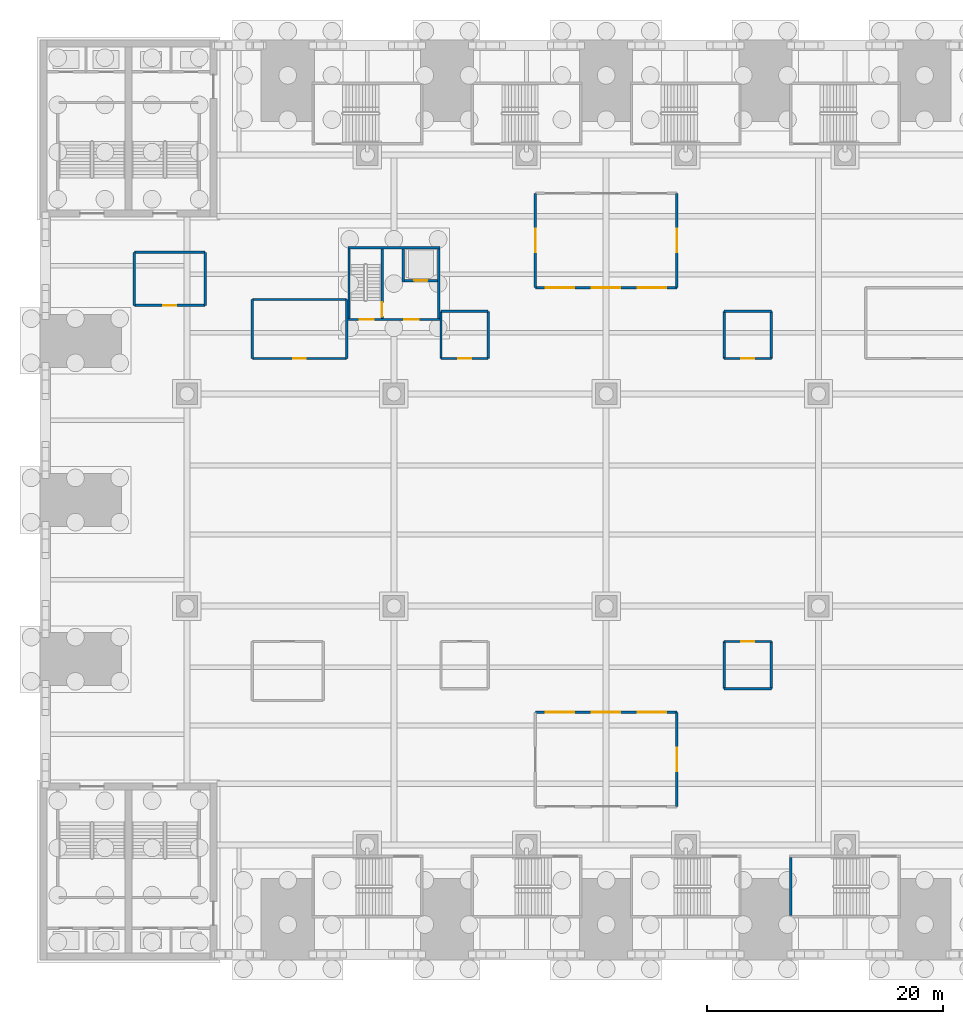
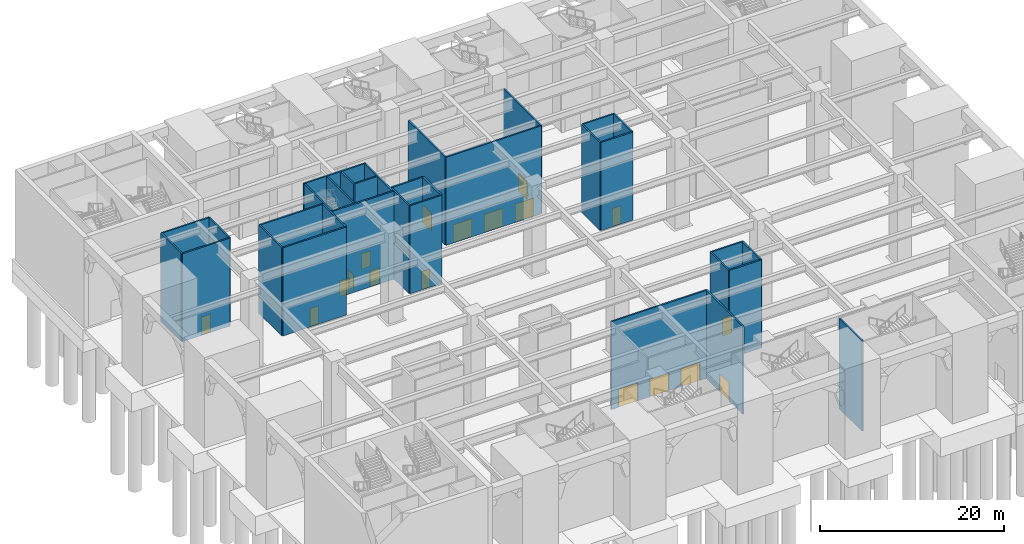
# One storey, part 8 of 34: 33 walls, 18 doors, 18 openings.
"""IFC4 building model written with IfcOpenShell, lengths in metres."""

from ifc_helpers import new_model, si_unit, direction, frame, frame_2d, origin, place, context, subcontext, project, spatial, rectangle, extrude, material, layer, layer_set, type_object, element, fill, save


model = new_model("IFC4")

# Units and contexts
model_context = context("Model", 3, precision=1e-05, world=origin(), true_north=direction((0.0, 1.0)))
body_context = subcontext(model_context, "Body", "Model", "MODEL_VIEW")
ifc_project = project(units=[si_unit("LENGTHUNIT", "METRE"), si_unit("AREAUNIT", "SQUARE_METRE"), si_unit("VOLUMEUNIT", "CUBIC_METRE"), si_unit("PLANEANGLEUNIT", "RADIAN"), si_unit("MASSUNIT", "GRAM", prefix="KILO")], contexts=[model_context])

# Site, building, storey
site_placement = place(None, origin())
site = spatial("IfcSite", under=ifc_project, at=site_placement, CompositionType="ELEMENT")
building_placement = place(site_placement, origin())
building = spatial("IfcBuilding", under=site, at=building_placement, Name="Corbelhall Arena Tower", CompositionType="ELEMENT")
storey_placement = place(building_placement, origin())
storey = spatial("IfcBuildingStorey", under=building, at=storey_placement, Name="L00", CompositionType="ELEMENT", Elevation=0.0)

# Wall, opening, door
ifc_material_1 = material(Name="Gypsum board on steel studs", Category="steel")
ifc_layer_1 = layer(ifc_material_1, 0.199951171875)
ifc_layer_set_1 = layer_set([ifc_layer_1], Name="AR-ROOM-WALL")
wall_type_1 = type_object("IfcWallType", Name="AR-ROOM-WALL", PredefinedType="PARTITIONING", material=ifc_layer_set_1)
wall_1_placement = place(storey_placement, frame((-40.0, 16.5, 0.0), z_axis=(0.0, 0.0, 1.0), x_axis=(1.0, 0.0, 0.0)))
wall_1 = element("IfcWall", 1, at=wall_1_placement, inside=storey, type_object=wall_type_1, Name="Fire command room wall", PredefinedType="PARTITIONING", context=body_context, shape_type="SweptSolid", body=[
    extrude(rectangle(XDim=6.0, YDim=0.199951171875, at=frame_2d((3.0, 0.0))), origin(), (0.0, 0.0, 1.0), 11.699951171875),
])
opening_1_placement = place(wall_1_placement, frame((2.449951171875, 0.0, 0.0)))
opening_1 = element("IfcOpeningElement", 2, at=opening_1_placement, cuts=wall_1, Name="Opening DA0317", PredefinedType="OPENING", context=body_context, shape_type="SweptSolid", body=[
    extrude(rectangle(XDim=1.10009765625, YDim=2.39990234375, at=frame_2d((0.550048828125, 1.199951171875))), frame((0.0, 0.10009765625, 0.0), z_axis=(0.0, -1.0, 0.0), x_axis=(1.0, 0.0, 0.0)), (0.0, 0.0, 1.0), 0.199951171875),
])
ifc_material_2 = material(Name="Timber", Category="wood")
door_type_1 = type_object("IfcDoorType", Name="AR-ROOM-DOOR", OperationType="DOUBLE_DOOR_SINGLE_SWING", PredefinedType="DOOR", material=ifc_material_2)
door_1_placement = place(opening_1_placement, origin())
door_1 = element("IfcDoor", 3, at=door_1_placement, inside=storey, type_object=door_type_1, Name="Fire command room door", OperationType="DOUBLE_DOOR_SINGLE_SWING", OverallHeight=2.39990234375, OverallWidth=1.10009765625, PredefinedType="DOOR", context=body_context, shape_type="SweptSolid", body=[
    extrude(rectangle(XDim=1.10009765625, YDim=2.39990234375, at=frame_2d((0.550048828125, 1.199951171875))), frame((0.0, 0.02490234375, 0.0), z_axis=(0.0, -1.0, 0.0), x_axis=(1.0, 0.0, 0.0)), (0.0, 0.0, 1.0), 0.050048828125),
])
fill(opening_1, door_1)

# Walls
wall_2_placement = place(storey_placement, frame((-34.0, 21.0, 0.0), z_axis=(0.0, 0.0, 1.0), x_axis=(-1.0, 0.0, 0.0)))
element("IfcWall", 4, at=wall_2_placement, inside=storey, type_object=wall_type_1, Name="Fire command room wall", PredefinedType="PARTITIONING", context=body_context, shape_type="SweptSolid", body=[
    extrude(rectangle(XDim=6.0, YDim=0.199951171875, at=frame_2d((3.0, 0.0))), origin(), (0.0, 0.0, 1.0), 11.699951171875),
])
for number, where, z_axis, x_axis, name in (
    (5, (-40.0, 21.0, 0.0), (0.0, 0.0, 1.0), (0.0, -1.0, 0.0), "Fire command room wall"),
    (6, (-34.0, 16.5, 0.0), (0.0, 0.0, 1.0), (0.0, 1.0, 0.0), "Fire command room wall"),
):
    element("IfcWall", number, at=place(storey_placement, frame(where, z_axis=z_axis, x_axis=x_axis)), inside=storey, type_object=wall_type_1, Name=name, PredefinedType="PARTITIONING", context=body_context, shape_type="SweptSolid", body=[
        extrude(rectangle(XDim=4.5, YDim=0.199951171875, at=frame_2d((2.25, 0.0))), origin(), (0.0, 0.0, 1.0), 11.699951171875),
    ])

# Wall, opening, door
wall_3_placement = place(storey_placement, frame((-30.0, 12.0, 0.0), z_axis=(0.0, 0.0, 1.0), x_axis=(1.0, 0.0, 0.0)))
wall_3 = element("IfcWall", 7, at=wall_3_placement, inside=storey, type_object=wall_type_1, Name="Box office wall", PredefinedType="PARTITIONING", context=body_context, shape_type="SweptSolid", body=[
    extrude(rectangle(XDim=8.0, YDim=0.199951171875, at=frame_2d((4.0, 0.0))), origin(), (0.0, 0.0, 1.0), 11.699951171875),
])
opening_2_placement = place(wall_3_placement, frame((3.449951171875, 0.0, 0.0)))
opening_2 = element("IfcOpeningElement", 8, at=opening_2_placement, cuts=wall_3, Name="Opening DA0318", PredefinedType="OPENING", context=body_context, shape_type="SweptSolid", body=[
    extrude(rectangle(XDim=1.10009765625, YDim=2.39990234375, at=frame_2d((0.550048828125, 1.199951171875))), frame((0.0, 0.10009765625, 0.0), z_axis=(0.0, -1.0, 0.0), x_axis=(1.0, 0.0, 0.0)), (0.0, 0.0, 1.0), 0.199951171875),
])
door_2_placement = place(opening_2_placement, origin())
door_2 = element("IfcDoor", 9, at=door_2_placement, inside=storey, type_object=door_type_1, Name="Box office door", OperationType="DOUBLE_DOOR_SINGLE_SWING", OverallHeight=2.39990234375, OverallWidth=1.10009765625, PredefinedType="DOOR", context=body_context, shape_type="SweptSolid", body=[
    extrude(rectangle(XDim=1.10009765625, YDim=2.39990234375, at=frame_2d((0.550048828125, 1.199951171875))), frame((0.0, 0.02490234375, 0.0), z_axis=(0.0, -1.0, 0.0), x_axis=(1.0, 0.0, 0.0)), (0.0, 0.0, 1.0), 0.050048828125),
])
fill(opening_2, door_2)

# Walls
wall_4_placement = place(storey_placement, frame((-22.0, 17.0, 0.0), z_axis=(0.0, 0.0, 1.0), x_axis=(-1.0, 0.0, 0.0)))
element("IfcWall", 10, at=wall_4_placement, inside=storey, type_object=wall_type_1, Name="Box office wall", PredefinedType="PARTITIONING", context=body_context, shape_type="SweptSolid", body=[
    extrude(rectangle(XDim=8.0, YDim=0.199951171875, at=frame_2d((4.0, 0.0))), origin(), (0.0, 0.0, 1.0), 11.699951171875),
])
for number, where, z_axis, x_axis, name in (
    (11, (-30.0, 17.0, 0.0), (0.0, 0.0, 1.0), (0.0, -1.0, 0.0), "Box office wall"),
    (12, (-22.0, 12.0, 0.0), (0.0, 0.0, 1.0), (0.0, 1.0, 0.0), "Box office wall"),
):
    element("IfcWall", number, at=place(storey_placement, frame(where, z_axis=z_axis, x_axis=x_axis)), inside=storey, type_object=wall_type_1, Name=name, PredefinedType="PARTITIONING", context=body_context, shape_type="SweptSolid", body=[
        extrude(rectangle(XDim=5.0, YDim=0.199951171875, at=frame_2d((2.5, 0.0))), origin(), (0.0, 0.0, 1.0), 11.699951171875),
    ])

# Wall, opening, door
wall_5_placement = place(storey_placement, frame((-14.0, 12.0, 0.0), z_axis=(0.0, 0.0, 1.0), x_axis=(1.0, 0.0, 0.0)))
wall_5 = element("IfcWall", 13, at=wall_5_placement, inside=storey, type_object=wall_type_1, Name="Information kiosk wall", PredefinedType="PARTITIONING", context=body_context, shape_type="SweptSolid", body=[
    extrude(rectangle(XDim=4.0, YDim=0.199951171875, at=frame_2d((2.0, 0.0))), origin(), (0.0, 0.0, 1.0), 11.699951171875),
])
opening_3_placement = place(wall_5_placement, frame((1.449951171875, 0.0, 0.0)))
opening_3 = element("IfcOpeningElement", 14, at=opening_3_placement, cuts=wall_5, Name="Opening DA0321", PredefinedType="OPENING", context=body_context, shape_type="SweptSolid", body=[
    extrude(rectangle(XDim=1.10009765625, YDim=2.39990234375, at=frame_2d((0.550048828125, 1.199951171875))), frame((0.0, 0.10009765625, 0.0), z_axis=(0.0, -1.0, 0.0), x_axis=(1.0, 0.0, 0.0)), (0.0, 0.0, 1.0), 0.199951171875),
])
door_3_placement = place(opening_3_placement, origin())
door_3 = element("IfcDoor", 15, at=door_3_placement, inside=storey, type_object=door_type_1, Name="Information kiosk door", OperationType="DOUBLE_DOOR_SINGLE_SWING", OverallHeight=2.39990234375, OverallWidth=1.10009765625, PredefinedType="DOOR", context=body_context, shape_type="SweptSolid", body=[
    extrude(rectangle(XDim=1.10009765625, YDim=2.39990234375, at=frame_2d((0.550048828125, 1.199951171875))), frame((0.0, 0.02490234375, 0.0), z_axis=(0.0, -1.0, 0.0), x_axis=(1.0, 0.0, 0.0)), (0.0, 0.0, 1.0), 0.050048828125),
])
fill(opening_3, door_3)

# Walls
for number, where, z_axis, x_axis, name in (
    (16, (-10.0, 16.0, 0.0), (0.0, 0.0, 1.0), (-1.0, 0.0, 0.0), "Information kiosk wall"),
    (17, (-14.0, 16.0, 0.0), (0.0, 0.0, 1.0), (0.0, -1.0, 0.0), "Information kiosk wall"),
    (18, (-10.0, 12.0, 0.0), (0.0, 0.0, 1.0), (0.0, 1.0, 0.0), "Information kiosk wall"),
):
    element("IfcWall", number, at=place(storey_placement, frame(where, z_axis=z_axis, x_axis=x_axis)), inside=storey, type_object=wall_type_1, Name=name, PredefinedType="PARTITIONING", context=body_context, shape_type="SweptSolid", body=[
        extrude(rectangle(XDim=4.0, YDim=0.199951171875, at=frame_2d((2.0, 0.0))), origin(), (0.0, 0.0, 1.0), 11.699951171875),
    ])

# Wall, opening, door
wall_6_placement = place(storey_placement, frame((10.0, 12.0, 0.0), z_axis=(0.0, 0.0, 1.0), x_axis=(1.0, 0.0, 0.0)))
wall_6 = element("IfcWall", 19, at=wall_6_placement, inside=storey, type_object=wall_type_1, Name="Information kiosk wall", PredefinedType="PARTITIONING", context=body_context, shape_type="SweptSolid", body=[
    extrude(rectangle(XDim=4.0, YDim=0.199951171875, at=frame_2d((2.0, 0.0))), origin(), (0.0, 0.0, 1.0), 11.699951171875),
])
opening_4_placement = place(wall_6_placement, frame((1.449951171875, 0.0, 0.0)))
opening_4 = element("IfcOpeningElement", 20, at=opening_4_placement, cuts=wall_6, Name="Opening DA0322", PredefinedType="OPENING", context=body_context, shape_type="SweptSolid", body=[
    extrude(rectangle(XDim=1.10009765625, YDim=2.39990234375, at=frame_2d((0.550048828125, 1.199951171875))), frame((0.0, 0.10009765625, 0.0), z_axis=(0.0, -1.0, 0.0), x_axis=(1.0, 0.0, 0.0)), (0.0, 0.0, 1.0), 0.199951171875),
])
door_4_placement = place(opening_4_placement, origin())
door_4 = element("IfcDoor", 21, at=door_4_placement, inside=storey, type_object=door_type_1, Name="Information kiosk door", OperationType="DOUBLE_DOOR_SINGLE_SWING", OverallHeight=2.39990234375, OverallWidth=1.10009765625, PredefinedType="DOOR", context=body_context, shape_type="SweptSolid", body=[
    extrude(rectangle(XDim=1.10009765625, YDim=2.39990234375, at=frame_2d((0.550048828125, 1.199951171875))), frame((0.0, 0.02490234375, 0.0), z_axis=(0.0, -1.0, 0.0), x_axis=(1.0, 0.0, 0.0)), (0.0, 0.0, 1.0), 0.050048828125),
])
fill(opening_4, door_4)

# Walls
for number, where, z_axis, x_axis, name in (
    (22, (14.0, 16.0, 0.0), (0.0, 0.0, 1.0), (-1.0, 0.0, 0.0), "Information kiosk wall"),
    (23, (10.0, 16.0, 0.0), (0.0, 0.0, 1.0), (0.0, -1.0, 0.0), "Information kiosk wall"),
    (24, (14.0, 12.0, 0.0), (0.0, 0.0, 1.0), (0.0, 1.0, 0.0), "Information kiosk wall"),
    (25, (10.0, -16.0, 0.0), (0.0, 0.0, 1.0), (1.0, 0.0, 0.0), "Information kiosk wall"),
):
    element("IfcWall", number, at=place(storey_placement, frame(where, z_axis=z_axis, x_axis=x_axis)), inside=storey, type_object=wall_type_1, Name=name, PredefinedType="PARTITIONING", context=body_context, shape_type="SweptSolid", body=[
        extrude(rectangle(XDim=4.0, YDim=0.199951171875, at=frame_2d((2.0, 0.0))), origin(), (0.0, 0.0, 1.0), 11.699951171875),
    ])

# Wall, opening, door
wall_7_placement = place(storey_placement, frame((14.0, -12.0, 0.0), z_axis=(0.0, 0.0, 1.0), x_axis=(-1.0, 0.0, 0.0)))
wall_7 = element("IfcWall", 26, at=wall_7_placement, inside=storey, type_object=wall_type_1, Name="Information kiosk wall", PredefinedType="PARTITIONING", context=body_context, shape_type="SweptSolid", body=[
    extrude(rectangle(XDim=4.0, YDim=0.199951171875, at=frame_2d((2.0, 0.0))), origin(), (0.0, 0.0, 1.0), 11.699951171875),
])
opening_5_placement = place(wall_7_placement, frame((1.449951171875, 0.0, 0.0)))
opening_5 = element("IfcOpeningElement", 27, at=opening_5_placement, cuts=wall_7, Name="Opening DA0324", PredefinedType="OPENING", context=body_context, shape_type="SweptSolid", body=[
    extrude(rectangle(XDim=1.10009765625, YDim=2.39990234375, at=frame_2d((0.550048828125, 1.199951171875))), frame((0.0, 0.10009765625, 0.0), z_axis=(0.0, -1.0, 0.0), x_axis=(1.0, 0.0, 0.0)), (0.0, 0.0, 1.0), 0.199951171875),
])
door_5_placement = place(opening_5_placement, origin())
door_5 = element("IfcDoor", 28, at=door_5_placement, inside=storey, type_object=door_type_1, Name="Information kiosk door", OperationType="DOUBLE_DOOR_SINGLE_SWING", OverallHeight=2.39990234375, OverallWidth=1.10009765625, PredefinedType="DOOR", context=body_context, shape_type="SweptSolid", body=[
    extrude(rectangle(XDim=1.10009765625, YDim=2.39990234375, at=frame_2d((0.550048828125, 1.199951171875))), frame((0.0, 0.02490234375, 0.0), z_axis=(0.0, -1.0, 0.0), x_axis=(1.0, 0.0, 0.0)), (0.0, 0.0, 1.0), 0.050048828125),
])
fill(opening_5, door_5)

# Walls
for number, where, z_axis, x_axis, name in (
    (29, (10.0, -12.0, 0.0), (0.0, 0.0, 1.0), (0.0, -1.0, 0.0), "Information kiosk wall"),
    (30, (14.0, -16.0, 0.0), (0.0, 0.0, 1.0), (0.0, 1.0, 0.0), "Information kiosk wall"),
):
    element("IfcWall", number, at=place(storey_placement, frame(where, z_axis=z_axis, x_axis=x_axis)), inside=storey, type_object=wall_type_1, Name=name, PredefinedType="PARTITIONING", context=body_context, shape_type="SweptSolid", body=[
        extrude(rectangle(XDim=4.0, YDim=0.199951171875, at=frame_2d((2.0, 0.0))), origin(), (0.0, 0.0, 1.0), 11.699951171875),
    ])

# Wall, openings, doors
wall_8_placement = place(storey_placement, frame((-6.0, 18.0, 0.0), z_axis=(0.0, 0.0, 1.0), x_axis=(1.0, 0.0, 0.0)))
wall_8 = element("IfcWall", 31, at=wall_8_placement, inside=storey, type_object=wall_type_1, Name="Arena entrance lobby wall", PredefinedType="PARTITIONING", context=body_context, shape_type="SweptSolid", body=[
    extrude(rectangle(XDim=12.0, YDim=0.199951171875, at=frame_2d((6.0, 0.0))), origin(), (0.0, 0.0, 1.0), 11.699951171875),
])
opening_6_placement = place(wall_8_placement, frame((0.89990234375, 0.0, 0.0)))
opening_6 = element("IfcOpeningElement", 32, at=opening_6_placement, cuts=wall_8, Name="Opening DA0325", PredefinedType="OPENING", context=body_context, shape_type="SweptSolid", body=[
    extrude(rectangle(XDim=2.39990234375, YDim=2.39990234375, at=frame_2d((1.199951171875, 1.199951171875))), frame((0.0, 0.10009765625, 0.0), z_axis=(0.0, -1.0, 0.0), x_axis=(1.0, 0.0, 0.0)), (0.0, 0.0, 1.0), 0.199951171875),
])
opening_7_placement = place(wall_8_placement, frame((4.800048828125, 0.0, 0.0)))
opening_7 = element("IfcOpeningElement", 33, at=opening_7_placement, cuts=wall_8, Name="Opening DA0326", PredefinedType="OPENING", context=body_context, shape_type="SweptSolid", body=[
    extrude(rectangle(XDim=2.39990234375, YDim=2.39990234375, at=frame_2d((1.199951171875, 1.199951171875))), frame((0.0, 0.10009765625, 0.0), z_axis=(0.0, -1.0, 0.0), x_axis=(1.0, 0.0, 0.0)), (0.0, 0.0, 1.0), 0.199951171875),
])
opening_8_placement = place(wall_8_placement, frame((8.699951171875, 0.0, 0.0)))
opening_8 = element("IfcOpeningElement", 34, at=opening_8_placement, cuts=wall_8, Name="Opening DA0327", PredefinedType="OPENING", context=body_context, shape_type="SweptSolid", body=[
    extrude(rectangle(XDim=2.39990234375, YDim=2.39990234375, at=frame_2d((1.199951171875, 1.199951171875))), frame((0.0, 0.10009765625, 0.0), z_axis=(0.0, -1.0, 0.0), x_axis=(1.0, 0.0, 0.0)), (0.0, 0.0, 1.0), 0.199951171875),
])
ifc_material_3 = material(Name="Steel and glass", Category="steel")
door_type_2 = type_object("IfcDoorType", Name="AR-ENTRANCE-DOOR", OperationType="DOUBLE_DOOR_SINGLE_SWING", PredefinedType="DOOR", material=ifc_material_3)
door_6_placement = place(opening_6_placement, frame((2.39990234375, 0.0, 0.0), z_axis=(0.0, 0.0, 1.0), x_axis=(-1.0, 0.0, 0.0)))
door_6 = element("IfcDoor", 35, at=door_6_placement, inside=storey, type_object=door_type_2, Name="Arena entrance lobby entrance door", OperationType="DOUBLE_DOOR_SINGLE_SWING", OverallHeight=2.39990234375, OverallWidth=2.39990234375, PredefinedType="DOOR", context=body_context, shape_type="SweptSolid", body=[
    extrude(rectangle(XDim=2.39990234375, YDim=2.39990234375, at=frame_2d((1.199951171875, 1.199951171875))), frame((0.0, 0.02490234375, 0.0), z_axis=(0.0, -1.0, 0.0), x_axis=(1.0, 0.0, 0.0)), (0.0, 0.0, 1.0), 0.050048828125),
])
fill(opening_6, door_6)
door_7_placement = place(opening_7_placement, frame((2.39990234375, 0.0, 0.0), z_axis=(0.0, 0.0, 1.0), x_axis=(-1.0, 0.0, 0.0)))
door_7 = element("IfcDoor", 36, at=door_7_placement, inside=storey, type_object=door_type_2, Name="Arena entrance lobby entrance door", OperationType="DOUBLE_DOOR_SINGLE_SWING", OverallHeight=2.39990234375, OverallWidth=2.39990234375, PredefinedType="DOOR", context=body_context, shape_type="SweptSolid", body=[
    extrude(rectangle(XDim=2.39990234375, YDim=2.39990234375, at=frame_2d((1.199951171875, 1.199951171875))), frame((0.0, 0.02490234375, 0.0), z_axis=(0.0, -1.0, 0.0), x_axis=(1.0, 0.0, 0.0)), (0.0, 0.0, 1.0), 0.050048828125),
])
fill(opening_7, door_7)
door_8_placement = place(opening_8_placement, frame((2.39990234375, 0.0, 0.0), z_axis=(0.0, 0.0, 1.0), x_axis=(-1.0, 0.0, 0.0)))
door_8 = element("IfcDoor", 37, at=door_8_placement, inside=storey, type_object=door_type_2, Name="Arena entrance lobby entrance door", OperationType="DOUBLE_DOOR_SINGLE_SWING", OverallHeight=2.39990234375, OverallWidth=2.39990234375, PredefinedType="DOOR", context=body_context, shape_type="SweptSolid", body=[
    extrude(rectangle(XDim=2.39990234375, YDim=2.39990234375, at=frame_2d((1.199951171875, 1.199951171875))), frame((0.0, 0.02490234375, 0.0), z_axis=(0.0, -1.0, 0.0), x_axis=(1.0, 0.0, 0.0)), (0.0, 0.0, 1.0), 0.050048828125),
])
fill(opening_8, door_8)

# Wall, opening, door
wall_9_placement = place(storey_placement, frame((-6.0, 26.0, 0.0), z_axis=(0.0, 0.0, 1.0), x_axis=(0.0, -1.0, 0.0)))
wall_9 = element("IfcWall", 38, at=wall_9_placement, inside=storey, type_object=wall_type_1, Name="Arena entrance lobby wall", PredefinedType="PARTITIONING", context=body_context, shape_type="SweptSolid", body=[
    extrude(rectangle(XDim=8.0, YDim=0.199951171875, at=frame_2d((4.0, 0.0))), origin(), (0.0, 0.0, 1.0), 11.699951171875),
])
opening_9_placement = place(wall_9_placement, frame((3.0, 0.0, 0.0)))
opening_9 = element("IfcOpeningElement", 39, at=opening_9_placement, cuts=wall_9, Name="Opening DA0331", PredefinedType="OPENING", context=body_context, shape_type="SweptSolid", body=[
    extrude(rectangle(XDim=2.0, YDim=2.39990234375, at=frame_2d((1.0, 1.199951171875))), frame((0.0, 0.10009765625, 0.0), z_axis=(0.0, -1.0, 0.0), x_axis=(1.0, 0.0, 0.0)), (0.0, 0.0, 1.0), 0.199951171875),
])
door_type_3 = type_object("IfcDoorType", Name="AR-EXIT-DOOR", OperationType="DOUBLE_DOOR_SINGLE_SWING", PredefinedType="DOOR", material=ifc_material_3)
door_9_placement = place(opening_9_placement, frame((2.0, 0.0, 0.0), z_axis=(0.0, 0.0, 1.0), x_axis=(-1.0, 0.0, 0.0)))
door_9 = element("IfcDoor", 40, at=door_9_placement, inside=storey, type_object=door_type_3, Name="Arena entrance lobby exit door", OperationType="DOUBLE_DOOR_SINGLE_SWING", OverallHeight=2.39990234375, OverallWidth=2.0, PredefinedType="DOOR", context=body_context, shape_type="SweptSolid", body=[
    extrude(rectangle(XDim=2.0, YDim=2.39990234375, at=frame_2d((1.0, 1.199951171875))), frame((0.0, 0.02490234375, 0.0), z_axis=(0.0, -1.0, 0.0), x_axis=(1.0, 0.0, 0.0)), (0.0, 0.0, 1.0), 0.050048828125),
])
fill(opening_9, door_9)

wall_10_placement = place(storey_placement, frame((6.0, 18.0, 0.0), z_axis=(0.0, 0.0, 1.0), x_axis=(0.0, 1.0, 0.0)))
wall_10 = element("IfcWall", 41, at=wall_10_placement, inside=storey, type_object=wall_type_1, Name="Arena entrance lobby wall", PredefinedType="PARTITIONING", context=body_context, shape_type="SweptSolid", body=[
    extrude(rectangle(XDim=8.0, YDim=0.199951171875, at=frame_2d((4.0, 0.0))), origin(), (0.0, 0.0, 1.0), 11.699951171875),
])
opening_10_placement = place(wall_10_placement, frame((3.0, 0.0, 0.0)))
opening_10 = element("IfcOpeningElement", 42, at=opening_10_placement, cuts=wall_10, Name="Opening DA0332", PredefinedType="OPENING", context=body_context, shape_type="SweptSolid", body=[
    extrude(rectangle(XDim=2.0, YDim=2.39990234375, at=frame_2d((1.0, 1.199951171875))), frame((0.0, 0.10009765625, 0.0), z_axis=(0.0, -1.0, 0.0), x_axis=(1.0, 0.0, 0.0)), (0.0, 0.0, 1.0), 0.199951171875),
])
door_10_placement = place(opening_10_placement, frame((2.0, 0.0, 0.0), z_axis=(0.0, 0.0, 1.0), x_axis=(-1.0, 0.0, 0.0)))
door_10 = element("IfcDoor", 43, at=door_10_placement, inside=storey, type_object=door_type_3, Name="Arena entrance lobby exit door", OperationType="DOUBLE_DOOR_SINGLE_SWING", OverallHeight=2.39990234375, OverallWidth=2.0, PredefinedType="DOOR", context=body_context, shape_type="SweptSolid", body=[
    extrude(rectangle(XDim=2.0, YDim=2.39990234375, at=frame_2d((1.0, 1.199951171875))), frame((0.0, 0.02490234375, 0.0), z_axis=(0.0, -1.0, 0.0), x_axis=(1.0, 0.0, 0.0)), (0.0, 0.0, 1.0), 0.050048828125),
])
fill(opening_10, door_10)

# Wall, openings, doors
wall_11_placement = place(storey_placement, frame((6.0, -18.0, 0.0), z_axis=(0.0, 0.0, 1.0), x_axis=(-1.0, 0.0, 0.0)))
wall_11 = element("IfcWall", 44, at=wall_11_placement, inside=storey, type_object=wall_type_1, Name="Arena entrance lobby wall", PredefinedType="PARTITIONING", context=body_context, shape_type="SweptSolid", body=[
    extrude(rectangle(XDim=12.0, YDim=0.199951171875, at=frame_2d((6.0, 0.0))), origin(), (0.0, 0.0, 1.0), 11.699951171875),
])
opening_11_placement = place(wall_11_placement, frame((0.89990234375, 0.0, 0.0)))
opening_11 = element("IfcOpeningElement", 45, at=opening_11_placement, cuts=wall_11, Name="Opening DA0336", PredefinedType="OPENING", context=body_context, shape_type="SweptSolid", body=[
    extrude(rectangle(XDim=2.39990234375, YDim=2.39990234375, at=frame_2d((1.199951171875, 1.199951171875))), frame((0.0, 0.10009765625, 0.0), z_axis=(0.0, -1.0, 0.0), x_axis=(1.0, 0.0, 0.0)), (0.0, 0.0, 1.0), 0.199951171875),
])
opening_12_placement = place(wall_11_placement, frame((4.800048828125, 0.0, 0.0)))
opening_12 = element("IfcOpeningElement", 46, at=opening_12_placement, cuts=wall_11, Name="Opening DA0337", PredefinedType="OPENING", context=body_context, shape_type="SweptSolid", body=[
    extrude(rectangle(XDim=2.39990234375, YDim=2.39990234375, at=frame_2d((1.199951171875, 1.199951171875))), frame((0.0, 0.10009765625, 0.0), z_axis=(0.0, -1.0, 0.0), x_axis=(1.0, 0.0, 0.0)), (0.0, 0.0, 1.0), 0.199951171875),
])
opening_13_placement = place(wall_11_placement, frame((8.699951171875, 0.0, 0.0)))
opening_13 = element("IfcOpeningElement", 47, at=opening_13_placement, cuts=wall_11, Name="Opening DA0338", PredefinedType="OPENING", context=body_context, shape_type="SweptSolid", body=[
    extrude(rectangle(XDim=2.39990234375, YDim=2.39990234375, at=frame_2d((1.199951171875, 1.199951171875))), frame((0.0, 0.10009765625, 0.0), z_axis=(0.0, -1.0, 0.0), x_axis=(1.0, 0.0, 0.0)), (0.0, 0.0, 1.0), 0.199951171875),
])
door_11_placement = place(opening_11_placement, frame((2.39990234375, 0.0, 0.0), z_axis=(0.0, 0.0, 1.0), x_axis=(-1.0, 0.0, 0.0)))
door_11 = element("IfcDoor", 48, at=door_11_placement, inside=storey, type_object=door_type_2, Name="Arena entrance lobby entrance door", OperationType="DOUBLE_DOOR_SINGLE_SWING", OverallHeight=2.39990234375, OverallWidth=2.39990234375, PredefinedType="DOOR", context=body_context, shape_type="SweptSolid", body=[
    extrude(rectangle(XDim=2.39990234375, YDim=2.39990234375, at=frame_2d((1.199951171875, 1.199951171875))), frame((0.0, 0.02490234375, 0.0), z_axis=(0.0, -1.0, 0.0), x_axis=(1.0, 0.0, 0.0)), (0.0, 0.0, 1.0), 0.050048828125),
])
fill(opening_11, door_11)
door_12_placement = place(opening_12_placement, frame((2.39990234375, 0.0, 0.0), z_axis=(0.0, 0.0, 1.0), x_axis=(-1.0, 0.0, 0.0)))
door_12 = element("IfcDoor", 49, at=door_12_placement, inside=storey, type_object=door_type_2, Name="Arena entrance lobby entrance door", OperationType="DOUBLE_DOOR_SINGLE_SWING", OverallHeight=2.39990234375, OverallWidth=2.39990234375, PredefinedType="DOOR", context=body_context, shape_type="SweptSolid", body=[
    extrude(rectangle(XDim=2.39990234375, YDim=2.39990234375, at=frame_2d((1.199951171875, 1.199951171875))), frame((0.0, 0.02490234375, 0.0), z_axis=(0.0, -1.0, 0.0), x_axis=(1.0, 0.0, 0.0)), (0.0, 0.0, 1.0), 0.050048828125),
])
fill(opening_12, door_12)
door_13_placement = place(opening_13_placement, frame((2.39990234375, 0.0, 0.0), z_axis=(0.0, 0.0, 1.0), x_axis=(-1.0, 0.0, 0.0)))
door_13 = element("IfcDoor", 50, at=door_13_placement, inside=storey, type_object=door_type_2, Name="Arena entrance lobby entrance door", OperationType="DOUBLE_DOOR_SINGLE_SWING", OverallHeight=2.39990234375, OverallWidth=2.39990234375, PredefinedType="DOOR", context=body_context, shape_type="SweptSolid", body=[
    extrude(rectangle(XDim=2.39990234375, YDim=2.39990234375, at=frame_2d((1.199951171875, 1.199951171875))), frame((0.0, 0.02490234375, 0.0), z_axis=(0.0, -1.0, 0.0), x_axis=(1.0, 0.0, 0.0)), (0.0, 0.0, 1.0), 0.050048828125),
])
fill(opening_13, door_13)

# Wall, opening, door
wall_12_placement = place(storey_placement, frame((6.0, -26.0, 0.0), z_axis=(0.0, 0.0, 1.0), x_axis=(0.0, 1.0, 0.0)))
wall_12 = element("IfcWall", 51, at=wall_12_placement, inside=storey, type_object=wall_type_1, Name="Arena entrance lobby wall", PredefinedType="PARTITIONING", context=body_context, shape_type="SweptSolid", body=[
    extrude(rectangle(XDim=8.0, YDim=0.199951171875, at=frame_2d((4.0, 0.0))), origin(), (0.0, 0.0, 1.0), 11.699951171875),
])
opening_14_placement = place(wall_12_placement, frame((3.0, 0.0, 0.0)))
opening_14 = element("IfcOpeningElement", 52, at=opening_14_placement, cuts=wall_12, Name="Opening DA0340", PredefinedType="OPENING", context=body_context, shape_type="SweptSolid", body=[
    extrude(rectangle(XDim=2.0, YDim=2.39990234375, at=frame_2d((1.0, 1.199951171875))), frame((0.0, 0.10009765625, 0.0), z_axis=(0.0, -1.0, 0.0), x_axis=(1.0, 0.0, 0.0)), (0.0, 0.0, 1.0), 0.199951171875),
])
door_14_placement = place(opening_14_placement, frame((2.0, 0.0, 0.0), z_axis=(0.0, 0.0, 1.0), x_axis=(-1.0, 0.0, 0.0)))
door_14 = element("IfcDoor", 53, at=door_14_placement, inside=storey, type_object=door_type_3, Name="Arena entrance lobby exit door", OperationType="DOUBLE_DOOR_SINGLE_SWING", OverallHeight=2.39990234375, OverallWidth=2.0, PredefinedType="DOOR", context=body_context, shape_type="SweptSolid", body=[
    extrude(rectangle(XDim=2.0, YDim=2.39990234375, at=frame_2d((1.0, 1.199951171875))), frame((0.0, 0.02490234375, 0.0), z_axis=(0.0, -1.0, 0.0), x_axis=(1.0, 0.0, 0.0)), (0.0, 0.0, 1.0), 0.050048828125),
])
fill(opening_14, door_14)

# Wall
ifc_material_4 = material(Name="Reinforced concrete C40/50", Category="concrete")
ifc_layer_2 = layer(ifc_material_4, 0.199951171875)
ifc_layer_set_2 = layer_set([ifc_layer_2], Name="AR-STAIR-WALL")
wall_type_2 = type_object("IfcWallType", Name="AR-STAIR-WALL", PredefinedType="SOLIDWALL", material=ifc_layer_set_2)
wall_13_placement = place(storey_placement, frame((15.64990234375, -35.25, 0.0), z_axis=(0.0, 0.0, 1.0), x_axis=(0.0, 1.0, 0.0)))
element("IfcWall", 54, at=wall_13_placement, inside=storey, type_object=wall_type_2, Name="Stair AS16 wall", PredefinedType="SOLIDWALL", context=body_context, shape_type="SweptSolid", body=[
    extrude(rectangle(XDim=4.949951171875, YDim=0.199951171875, at=frame_2d((2.47509765625, 0.0))), origin(), (0.0, 0.0, 1.0), 12.0),
])

# Wall, openings, doors
ifc_material_5 = material(Name="Concrete C40/50", Category="concrete")
ifc_layer_3 = layer(ifc_material_5, 0.199951171875)
ifc_layer_set_3 = layer_set([ifc_layer_3], Name="IN-W-EAR200")
wall_type_3 = type_object("IfcWallType", Name="IN-W-EAR200", PredefinedType="SOLIDWALL", material=ifc_layer_set_3)
wall_14_placement = place(storey_placement, frame((-21.89990234375, 15.300048828125, 0.0), z_axis=(0.0, 0.0, 1.0), x_axis=(1.0, 0.0, 0.0)))
wall_14 = element("IfcWall", 55, at=wall_14_placement, inside=storey, type_object=wall_type_3, Name="Fire service turret wall south", PredefinedType="SOLIDWALL", context=body_context, shape_type="SweptSolid", body=[
    extrude(rectangle(XDim=7.7998046875, YDim=0.199951171875, at=frame_2d((3.89990234375, 0.0))), origin(), (0.0, 0.0, 1.0), 11.699951171875),
])
opening_15_placement = place(wall_14_placement, frame((4.800048828125, 0.0, 0.0)))
opening_15 = element("IfcOpeningElement", 56, at=opening_15_placement, cuts=wall_14, Name="Opening E002", PredefinedType="OPENING", context=body_context, shape_type="SweptSolid", body=[
    extrude(rectangle(XDim=1.199951171875, YDim=2.10009765625, at=frame_2d((0.60009765625, 1.050048828125))), frame((0.0, 0.10009765625, 0.0), z_axis=(0.0, -1.0, 0.0), x_axis=(1.0, 0.0, 0.0)), (0.0, 0.0, 1.0), 0.199951171875),
])
opening_16_placement = place(wall_14_placement, frame((1.0, 0.0, 0.0)))
opening_16 = element("IfcOpeningElement", 57, at=opening_16_placement, cuts=wall_14, Name="Opening E003", PredefinedType="OPENING", context=body_context, shape_type="SweptSolid", body=[
    extrude(rectangle(XDim=1.199951171875, YDim=2.10009765625, at=frame_2d((0.60009765625, 1.050048828125))), frame((0.0, 0.10009765625, 0.0), z_axis=(0.0, -1.0, 0.0), x_axis=(1.0, 0.0, 0.0)), (0.0, 0.0, 1.0), 0.199951171875),
])
ifc_material_6 = material(Name="Steel door set", Category="steel")
door_type_4 = type_object("IfcDoorType", Name="IN-D-ST120", OperationType="NOTDEFINED", PredefinedType="DOOR", material=ifc_material_6)
door_15_placement = place(opening_15_placement, origin())
door_15 = element("IfcDoor", 58, at=door_15_placement, inside=storey, type_object=door_type_4, Name="Door from fire service lift lobby to the ground floor", OperationType="SINGLE_SWING_RIGHT", OverallHeight=2.10009765625, OverallWidth=1.199951171875, PredefinedType="DOOR", context=body_context, shape_type="SweptSolid", body=[
    extrude(rectangle(XDim=1.199951171875, YDim=2.10009765625, at=frame_2d((0.60009765625, 1.050048828125))), frame((0.0, 0.02490234375, 0.0), z_axis=(0.0, -1.0, 0.0), x_axis=(1.0, 0.0, 0.0)), (0.0, 0.0, 1.0), 0.050048828125),
])
fill(opening_15, door_15)
door_16_placement = place(opening_16_placement, frame((1.199951171875, 0.0, 0.0), z_axis=(0.0, 0.0, 1.0), x_axis=(-1.0, 0.0, 0.0)))
door_16 = element("IfcDoor", 59, at=door_16_placement, inside=storey, type_object=door_type_4, Name="Stair discharge door to the ground floor", OperationType="SINGLE_SWING_LEFT", OverallHeight=2.10009765625, OverallWidth=1.199951171875, PredefinedType="DOOR", context=body_context, shape_type="SweptSolid", body=[
    extrude(rectangle(XDim=1.199951171875, YDim=2.10009765625, at=frame_2d((0.60009765625, 1.050048828125))), frame((0.0, 0.02490234375, 0.0), z_axis=(0.0, -1.0, 0.0), x_axis=(1.0, 0.0, 0.0)), (0.0, 0.0, 1.0), 0.050048828125),
])
fill(opening_16, door_16)

# Walls
wall_15_placement = place(storey_placement, frame((-21.89990234375, 21.39990234375, 0.0), z_axis=(0.0, 0.0, 1.0), x_axis=(1.0, 0.0, 0.0)))
element("IfcWall", 60, at=wall_15_placement, inside=storey, type_object=wall_type_3, Name="Fire service turret wall north", PredefinedType="SOLIDWALL", context=body_context, shape_type="SweptSolid", body=[
    extrude(rectangle(XDim=7.7998046875, YDim=0.199951171875, at=frame_2d((3.89990234375, 0.0))), origin(), (0.0, 0.0, 1.0), 11.699951171875),
])
for number, where, z_axis, x_axis, name in (
    (61, (-21.800048828125, 15.39990234375, 0.0), (0.0, 0.0, 1.0), (0.0, 1.0, 0.0), "Fire service turret wall west"),
    (62, (-14.199951171875, 15.39990234375, 0.0), (0.0, 0.0, 1.0), (0.0, 1.0, 0.0), "Fire service turret wall east"),
):
    element("IfcWall", number, at=place(storey_placement, frame(where, z_axis=z_axis, x_axis=x_axis)), inside=storey, type_object=wall_type_3, Name=name, PredefinedType="SOLIDWALL", context=body_context, shape_type="SweptSolid", body=[
        extrude(rectangle(XDim=5.900146484375, YDim=0.199951171875, at=frame_2d((2.9501953125, 0.0))), origin(), (0.0, 0.0, 1.0), 11.699951171875),
    ])

# Wall, opening, door
wall_16_placement = place(storey_placement, frame((-18.989990234375, 15.39990234375, 0.0), z_axis=(0.0, 0.0, 1.0), x_axis=(0.0, 1.0, 0.0)))
wall_16 = element("IfcWall", 63, at=wall_16_placement, inside=storey, type_object=wall_type_3, Name="Fire service turret wall stair", PredefinedType="SOLIDWALL", context=body_context, shape_type="SweptSolid", body=[
    extrude(rectangle(XDim=5.900146484375, YDim=0.199951171875, at=frame_2d((2.9501953125, 0.0))), origin(), (0.0, 0.0, 1.0), 11.699951171875),
])
opening_17_placement = place(wall_16_placement, frame((0.14990234375, 0.0, 0.0)))
opening_17 = element("IfcOpeningElement", 64, at=opening_17_placement, cuts=wall_16, Name="Opening E001", PredefinedType="OPENING", context=body_context, shape_type="SweptSolid", body=[
    extrude(rectangle(XDim=1.199951171875, YDim=2.10009765625, at=frame_2d((0.60009765625, 1.050048828125))), frame((0.0, 0.10009765625, 0.0), z_axis=(0.0, -1.0, 0.0), x_axis=(1.0, 0.0, 0.0)), (0.0, 0.0, 1.0), 0.199951171875),
])
door_17_placement = place(opening_17_placement, origin())
door_17 = element("IfcDoor", 65, at=door_17_placement, inside=storey, type_object=door_type_4, Name="Stair door to fire service lobby", OperationType="SINGLE_SWING_LEFT", OverallHeight=2.10009765625, OverallWidth=1.199951171875, PredefinedType="DOOR", context=body_context, shape_type="SweptSolid", body=[
    extrude(rectangle(XDim=1.199951171875, YDim=2.10009765625, at=frame_2d((0.60009765625, 1.050048828125))), frame((0.0, 0.02490234375, 0.0), z_axis=(0.0, -1.0, 0.0), x_axis=(1.0, 0.0, 0.0)), (0.0, 0.0, 1.0), 0.050048828125),
])
fill(opening_17, door_17)

# Wall
wall_17_placement = place(storey_placement, frame((-17.199951171875, 18.5, 0.0), z_axis=(0.0, 0.0, 1.0), x_axis=(0.0, 1.0, 0.0)))
element("IfcWall", 66, at=wall_17_placement, inside=storey, type_object=wall_type_3, Name="Fire service turret wall hoistway west", PredefinedType="SOLIDWALL", context=body_context, shape_type="SweptSolid", body=[
    extrude(rectangle(XDim=2.800048828125, YDim=0.199951171875, at=frame_2d((1.39990234375, 0.0))), origin(), (0.0, 0.0, 1.0), 11.699951171875),
])

# Wall, opening, door
wall_18_placement = place(storey_placement, frame((-17.10009765625, 18.60009765625, 0.0), z_axis=(0.0, 0.0, 1.0), x_axis=(1.0, 0.0, 0.0)))
wall_18 = element("IfcWall", 67, at=wall_18_placement, inside=storey, type_object=wall_type_3, Name="Fire service turret wall hoistway south", PredefinedType="SOLIDWALL", context=body_context, shape_type="SweptSolid", body=[
    extrude(rectangle(XDim=2.800048828125, YDim=0.199951171875, at=frame_2d((1.39990234375, 0.0))), origin(), (0.0, 0.0, 1.0), 11.699951171875),
])
opening_18_placement = place(wall_18_placement, frame((0.85009765625, 0.0, 0.0)))
opening_18 = element("IfcOpeningElement", 68, at=opening_18_placement, cuts=wall_18, Name="Opening LD", PredefinedType="OPENING", context=body_context, shape_type="SweptSolid", body=[
    extrude(rectangle(XDim=1.10009765625, YDim=2.10009765625, at=frame_2d((0.550048828125, 1.050048828125))), frame((0.0, 0.10009765625, 0.0), z_axis=(0.0, -1.0, 0.0), x_axis=(1.0, 0.0, 0.0)), (0.0, 0.0, 1.0), 0.199951171875),
])
door_type_5 = type_object("IfcDoorType", Name="IN-D-LD110", OperationType="NOTDEFINED", PredefinedType="DOOR", material=ifc_material_6)
door_18_placement = place(opening_18_placement, origin())
door_18 = element("IfcDoor", 69, at=door_18_placement, inside=storey, type_object=door_type_5, Name="Landing door FS1", OperationType="SLIDING_TO_LEFT", OverallHeight=2.10009765625, OverallWidth=1.10009765625, PredefinedType="DOOR", context=body_context, shape_type="SweptSolid", body=[
    extrude(rectangle(XDim=1.10009765625, YDim=2.10009765625, at=frame_2d((0.550048828125, 1.050048828125))), frame((0.0, 0.02490234375, 0.0), z_axis=(0.0, -1.0, 0.0), x_axis=(1.0, 0.0, 0.0)), (0.0, 0.0, 1.0), 0.050048828125),
])
fill(opening_18, door_18)

save(model, "model.ifc")
